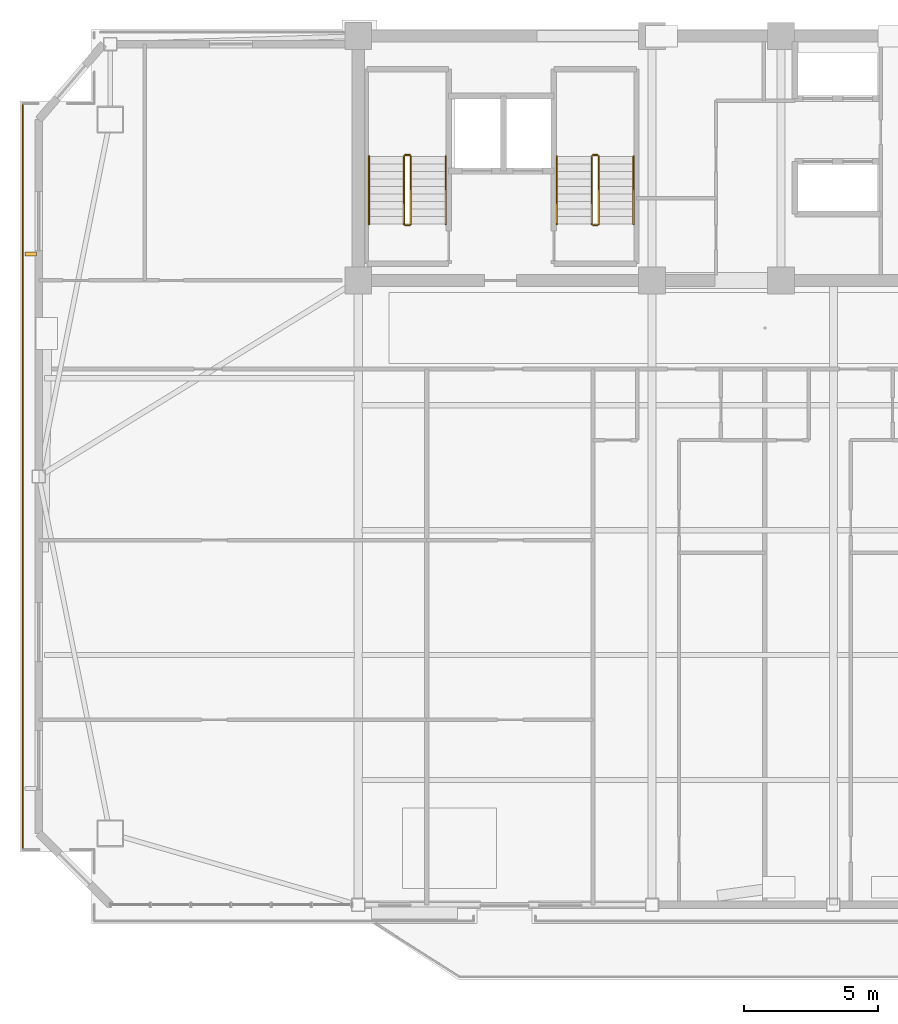
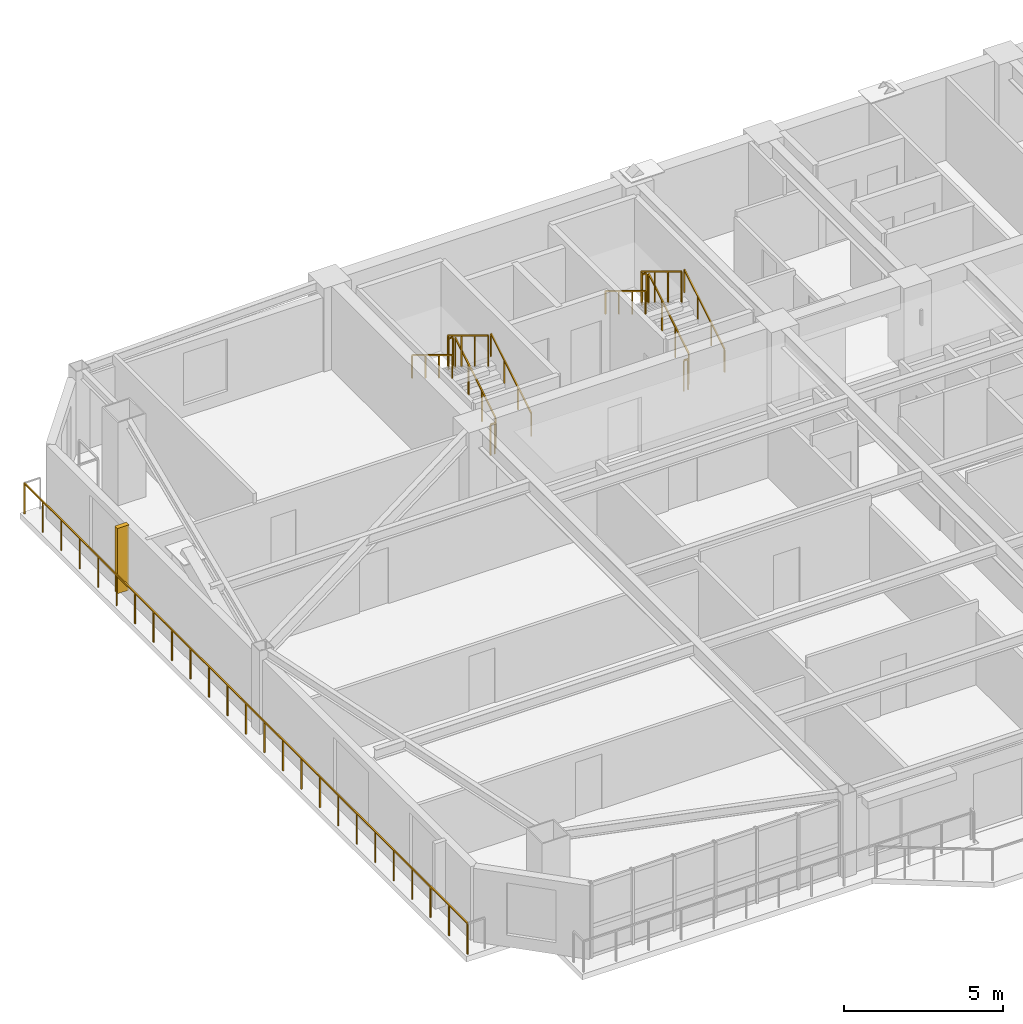
# One storey, part 15 of 19: 13 railings, 1 shading device.
"""IFC4 building model written with IfcOpenShell, lengths in metres."""

from ifc_helpers import new_model, si_unit, direction, frame, origin, origin_2d, place, context, subcontext, project, spatial, rectangle, extrude, source, transform, mapped, material, type_object, element, save


model = new_model("IFC4")

# Units and contexts
model_context = context("Model", 3, precision=1e-05, world=origin(), true_north=direction((0.0, 1.0)))
body_context = subcontext(model_context, "Body", "Model", "MODEL_VIEW")
ifc_project = project(units=[si_unit("LENGTHUNIT", "METRE"), si_unit("AREAUNIT", "SQUARE_METRE"), si_unit("VOLUMEUNIT", "CUBIC_METRE"), si_unit("PLANEANGLEUNIT", "RADIAN"), si_unit("MASSUNIT", "GRAM", prefix="KILO")], contexts=[model_context])

# Site, building, storey
site_placement = place(None, origin())
site = spatial("IfcSite", under=ifc_project, at=site_placement, CompositionType="ELEMENT")
building_placement = place(site_placement, origin())
building = spatial("IfcBuilding", under=site, at=building_placement, Name="Giltprow Tower", CompositionType="ELEMENT")
storey_placement = place(building_placement, frame((0.0, 0.0, 241.699951171875)))
storey = spatial("IfcBuildingStorey", under=building, at=storey_placement, Name="L61", CompositionType="ELEMENT", Elevation=241.699951171875)

# Railings
ifc_material = material(Name="Anodized bronze", Category="metal")
railing_type_1 = type_object("IfcRailingType", Name="RAIL-BALC-GUARD-1200", PredefinedType="BALUSTRADE", material=ifc_material)
railing_1_placement = place(storey_placement, frame((7.347900390625, 16.242919921875, 0.0)))
element("IfcRailing", 1, at=railing_1_placement, inside=storey, type_object=railing_type_1, Name="L61 Corner Apron Edge Balustrade 17", PredefinedType="BALUSTRADE", context=body_context, shape_type="SweptSolid", body=[
    extrude(rectangle(XDim=0.048095703125, YDim=0.048095703125, at=origin_2d()), frame((0.0, 0.0, 1.17578125), z_axis=(0.0, 1.0, 0.0), x_axis=(-1.0, 0.0, 0.0)), (0.0, 0.0, 1.0), 27.796142578125),
    extrude(rectangle(XDim=0.0419921875, YDim=0.0419921875, at=origin_2d()), origin(), (0.0, 0.0, 1.0), 1.15185546875),
    extrude(rectangle(XDim=0.0419921875, YDim=0.0419921875, at=origin_2d()), frame((0.0, 1.158203125, 0.0)), (0.0, 0.0, 1.0), 1.15185546875),
    extrude(rectangle(XDim=0.0419921875, YDim=0.0419921875, at=origin_2d()), frame((0.0, 2.31640625, 0.0)), (0.0, 0.0, 1.0), 1.15185546875),
    extrude(rectangle(XDim=0.0419921875, YDim=0.0419921875, at=origin_2d()), frame((0.0, 3.474609375, 0.0)), (0.0, 0.0, 1.0), 1.15185546875),
    extrude(rectangle(XDim=0.0419921875, YDim=0.0419921875, at=origin_2d()), frame((0.0, 4.6328125, 0.0)), (0.0, 0.0, 1.0), 1.15185546875),
    extrude(rectangle(XDim=0.0419921875, YDim=0.0419921875, at=origin_2d()), frame((0.0, 5.790771484375, 0.0)), (0.0, 0.0, 1.0), 1.15185546875),
    extrude(rectangle(XDim=0.0419921875, YDim=0.0419921875, at=origin_2d()), frame((0.0, 6.948974609375, 0.0)), (0.0, 0.0, 1.0), 1.15185546875),
    extrude(rectangle(XDim=0.0419921875, YDim=0.0419921875, at=origin_2d()), frame((0.0, 8.107177734375, 0.0)), (0.0, 0.0, 1.0), 1.15185546875),
    extrude(rectangle(XDim=0.0419921875, YDim=0.0419921875, at=origin_2d()), frame((0.0, 9.265380859375, 0.0)), (0.0, 0.0, 1.0), 1.15185546875),
    extrude(rectangle(XDim=0.0419921875, YDim=0.0419921875, at=origin_2d()), frame((0.0, 10.423583984375, 0.0)), (0.0, 0.0, 1.0), 1.15185546875),
    extrude(rectangle(XDim=0.0419921875, YDim=0.0419921875, at=origin_2d()), frame((0.0, 11.581787109375, 0.0)), (0.0, 0.0, 1.0), 1.15185546875),
    extrude(rectangle(XDim=0.0419921875, YDim=0.0419921875, at=origin_2d()), frame((0.0, 12.739990234375, 0.0)), (0.0, 0.0, 1.0), 1.15185546875),
    extrude(rectangle(XDim=0.0419921875, YDim=0.0419921875, at=origin_2d()), frame((0.0, 13.89794921875, 0.0)), (0.0, 0.0, 1.0), 1.15185546875),
    extrude(rectangle(XDim=0.0419921875, YDim=0.0419921875, at=origin_2d()), frame((0.0, 15.05615234375, 0.0)), (0.0, 0.0, 1.0), 1.15185546875),
    extrude(rectangle(XDim=0.0419921875, YDim=0.0419921875, at=origin_2d()), frame((0.0, 16.21435546875, 0.0)), (0.0, 0.0, 1.0), 1.15185546875),
    extrude(rectangle(XDim=0.0419921875, YDim=0.0419921875, at=origin_2d()), frame((0.0, 17.37255859375, 0.0)), (0.0, 0.0, 1.0), 1.15185546875),
    extrude(rectangle(XDim=0.0419921875, YDim=0.0419921875, at=origin_2d()), frame((0.0, 18.53076171875, 0.0)), (0.0, 0.0, 1.0), 1.15185546875),
    extrude(rectangle(XDim=0.0419921875, YDim=0.0419921875, at=origin_2d()), frame((0.0, 19.68896484375, 0.0)), (0.0, 0.0, 1.0), 1.15185546875),
    extrude(rectangle(XDim=0.0419921875, YDim=0.0419921875, at=origin_2d()), frame((0.0, 20.84716796875, 0.0)), (0.0, 0.0, 1.0), 1.15185546875),
    extrude(rectangle(XDim=0.0419921875, YDim=0.0419921875, at=origin_2d()), frame((0.0, 22.00537109375, 0.0)), (0.0, 0.0, 1.0), 1.15185546875),
    extrude(rectangle(XDim=0.0419921875, YDim=0.0419921875, at=origin_2d()), frame((0.0, 23.16357421875, 0.0)), (0.0, 0.0, 1.0), 1.15185546875),
    extrude(rectangle(XDim=0.0419921875, YDim=0.0419921875, at=origin_2d()), frame((0.0, 24.321533203125, 0.0)), (0.0, 0.0, 1.0), 1.15185546875),
    extrude(rectangle(XDim=0.0419921875, YDim=0.0419921875, at=origin_2d()), frame((0.0, 25.479736328125, 0.0)), (0.0, 0.0, 1.0), 1.15185546875),
    extrude(rectangle(XDim=0.0419921875, YDim=0.0419921875, at=origin_2d()), frame((0.0, 26.637939453125, 0.0)), (0.0, 0.0, 1.0), 1.15185546875),
    extrude(rectangle(XDim=0.0419921875, YDim=0.0419921875, at=origin_2d()), frame((0.0, 27.796142578125, 0.0)), (0.0, 0.0, 1.0), 1.15185546875),
])
railing_type_2 = type_object("IfcRailingType", Name="RAIL-STAIR-GUARD-1200", PredefinedType="GUARDRAIL", material=ifc_material)
railing_2_placement = place(storey_placement, frame((21.81005859375, 39.550048828125, 0.170166015625)))
element("IfcRailing", 2, at=railing_2_placement, inside=storey, type_object=railing_type_2, Name="L61 ST-1 stair guard 1", PredefinedType="GUARDRAIL", context=body_context, shape_type="SweptSolid", body=[
    extrude(rectangle(XDim=0.048095703125, YDim=0.048095703125, at=origin_2d()), frame((0.0, 0.0, 1.17578125), z_axis=(0.0, 0.854821627497, 0.518921945155), x_axis=(-1.0, 0.0, 0.0)), (0.0, 0.0, 1.0), 2.947998046875),
    extrude(rectangle(XDim=0.0419921875, YDim=0.0419921875, at=origin_2d()), origin(), (0.0, 0.0, 1.0), 1.15185546875),
    extrude(rectangle(XDim=0.0419921875, YDim=0.0419921875, at=origin_2d()), frame((0.0, 0.840087890625, 0.510009765625)), (0.0, 0.0, 1.0), 1.15185546875),
    extrude(rectangle(XDim=0.0419921875, YDim=0.0419921875, at=origin_2d()), frame((0.0, 1.679931640625, 1.019775390625)), (0.0, 0.0, 1.0), 1.15185546875),
    extrude(rectangle(XDim=0.0419921875, YDim=0.0419921875, at=origin_2d()), frame((0.0, 2.52001953125, 1.52978515625)), (0.0, 0.0, 1.0), 1.15185546875),
])
railing_3_placement = place(storey_placement, frame((21.760009765625, 42.1201171875, 1.699951171875)))
element("IfcRailing", 3, at=railing_3_placement, inside=storey, type_object=railing_type_2, Name="L61 ST-1 stair guard 2", PredefinedType="GUARDRAIL", context=body_context, shape_type="SweptSolid", body=[
    extrude(rectangle(XDim=0.048095703125, YDim=0.048095703125, at=origin_2d()), frame((0.0, 0.0, 1.17578125), z_axis=(-1.0, 0.0, 0.0), x_axis=(0.0, -1.0, 0.0)), (0.0, 0.0, 1.0), 0.159912109375),
    extrude(rectangle(XDim=0.0419921875, YDim=0.0419921875, at=origin_2d()), origin(), (0.0, 0.0, 1.0), 1.15185546875),
    extrude(rectangle(XDim=0.0419921875, YDim=0.0419921875, at=origin_2d()), frame((-0.159912109375, 0.0, 0.0)), (0.0, 0.0, 1.0), 1.15185546875),
])
railing_4_placement = place(storey_placement, frame((21.550048828125, 42.070068359375, 1.8701171875)))
element("IfcRailing", 4, at=railing_4_placement, inside=storey, type_object=railing_type_2, Name="L61 ST-1 stair guard 3", PredefinedType="GUARDRAIL", context=body_context, shape_type="SweptSolid", body=[
    extrude(rectangle(XDim=0.048095703125, YDim=0.048095703125, at=origin_2d()), frame((0.0, 0.0, 1.17578125), z_axis=(0.0, -0.85478489116, 0.518982456201), x_axis=(1.0, 0.0, 0.0)), (0.0, 0.0, 1.0), 2.9482421875),
    extrude(rectangle(XDim=0.0419921875, YDim=0.0419921875, at=origin_2d()), origin(), (0.0, 0.0, 1.0), 1.15185546875),
    extrude(rectangle(XDim=0.0419921875, YDim=0.0419921875, at=origin_2d()), frame((0.0, -0.840087890625, 0.510009765625)), (0.0, 0.0, 1.0), 1.15185546875),
    extrude(rectangle(XDim=0.0419921875, YDim=0.0419921875, at=origin_2d()), frame((0.0, -1.679931640625, 1.02001953125)), (0.0, 0.0, 1.0), 1.15185546875),
    extrude(rectangle(XDim=0.0419921875, YDim=0.0419921875, at=origin_2d()), frame((0.0, -2.52001953125, 1.530029296875)), (0.0, 0.0, 1.0), 1.15185546875),
])
railing_5_placement = place(storey_placement, frame((21.760009765625, 39.5, 0.0)))
element("IfcRailing", 5, at=railing_5_placement, inside=storey, type_object=railing_type_2, Name="L61 ST-1 stair guard 4", PredefinedType="GUARDRAIL", context=body_context, shape_type="SweptSolid", body=[
    extrude(rectangle(XDim=0.048095703125, YDim=0.048095703125, at=origin_2d()), frame((0.0, 0.0, 1.17578125), z_axis=(-1.0, 0.0, 0.0), x_axis=(0.0, -1.0, 0.0)), (0.0, 0.0, 1.0), 0.159912109375),
    extrude(rectangle(XDim=0.0419921875, YDim=0.0419921875, at=origin_2d()), origin(), (0.0, 0.0, 1.0), 1.15185546875),
    extrude(rectangle(XDim=0.0419921875, YDim=0.0419921875, at=origin_2d()), frame((-0.159912109375, 0.0, 0.0)), (0.0, 0.0, 1.0), 1.15185546875),
])
railing_6_placement = place(storey_placement, frame((28.81005859375, 39.550048828125, 0.170166015625)))
element("IfcRailing", 6, at=railing_6_placement, inside=storey, type_object=railing_type_2, Name="L61 ST-2 stair guard 1", PredefinedType="GUARDRAIL", context=body_context, shape_type="SweptSolid", body=[
    extrude(rectangle(XDim=0.048095703125, YDim=0.048095703125, at=origin_2d()), frame((0.0, 0.0, 1.17578125), z_axis=(0.0, 0.854821627497, 0.518921945155), x_axis=(-1.0, 0.0, 0.0)), (0.0, 0.0, 1.0), 2.947998046875),
    extrude(rectangle(XDim=0.0419921875, YDim=0.0419921875, at=origin_2d()), origin(), (0.0, 0.0, 1.0), 1.15185546875),
    extrude(rectangle(XDim=0.0419921875, YDim=0.0419921875, at=origin_2d()), frame((0.0, 0.840087890625, 0.510009765625)), (0.0, 0.0, 1.0), 1.15185546875),
    extrude(rectangle(XDim=0.0419921875, YDim=0.0419921875, at=origin_2d()), frame((0.0, 1.679931640625, 1.019775390625)), (0.0, 0.0, 1.0), 1.15185546875),
    extrude(rectangle(XDim=0.0419921875, YDim=0.0419921875, at=origin_2d()), frame((0.0, 2.52001953125, 1.52978515625)), (0.0, 0.0, 1.0), 1.15185546875),
])
railing_7_placement = place(storey_placement, frame((28.760009765625, 42.1201171875, 1.699951171875)))
element("IfcRailing", 7, at=railing_7_placement, inside=storey, type_object=railing_type_2, Name="L61 ST-2 stair guard 2", PredefinedType="GUARDRAIL", context=body_context, shape_type="SweptSolid", body=[
    extrude(rectangle(XDim=0.048095703125, YDim=0.048095703125, at=origin_2d()), frame((0.0, 0.0, 1.17578125), z_axis=(-1.0, 0.0, 0.0), x_axis=(0.0, -1.0, 0.0)), (0.0, 0.0, 1.0), 0.159912109375),
    extrude(rectangle(XDim=0.0419921875, YDim=0.0419921875, at=origin_2d()), origin(), (0.0, 0.0, 1.0), 1.15185546875),
    extrude(rectangle(XDim=0.0419921875, YDim=0.0419921875, at=origin_2d()), frame((-0.159912109375, 0.0, 0.0)), (0.0, 0.0, 1.0), 1.15185546875),
])
railing_8_placement = place(storey_placement, frame((28.550048828125, 42.070068359375, 1.8701171875)))
element("IfcRailing", 8, at=railing_8_placement, inside=storey, type_object=railing_type_2, Name="L61 ST-2 stair guard 3", PredefinedType="GUARDRAIL", context=body_context, shape_type="SweptSolid", body=[
    extrude(rectangle(XDim=0.048095703125, YDim=0.048095703125, at=origin_2d()), frame((0.0, 0.0, 1.17578125), z_axis=(0.0, -0.85478489116, 0.518982456201), x_axis=(1.0, 0.0, 0.0)), (0.0, 0.0, 1.0), 2.9482421875),
    extrude(rectangle(XDim=0.0419921875, YDim=0.0419921875, at=origin_2d()), origin(), (0.0, 0.0, 1.0), 1.15185546875),
    extrude(rectangle(XDim=0.0419921875, YDim=0.0419921875, at=origin_2d()), frame((0.0, -0.840087890625, 0.510009765625)), (0.0, 0.0, 1.0), 1.15185546875),
    extrude(rectangle(XDim=0.0419921875, YDim=0.0419921875, at=origin_2d()), frame((0.0, -1.679931640625, 1.02001953125)), (0.0, 0.0, 1.0), 1.15185546875),
    extrude(rectangle(XDim=0.0419921875, YDim=0.0419921875, at=origin_2d()), frame((0.0, -2.52001953125, 1.530029296875)), (0.0, 0.0, 1.0), 1.15185546875),
])
railing_9_placement = place(storey_placement, frame((28.760009765625, 39.5, 0.0)))
element("IfcRailing", 9, at=railing_9_placement, inside=storey, type_object=railing_type_2, Name="L61 ST-2 stair guard 4", PredefinedType="GUARDRAIL", context=body_context, shape_type="SweptSolid", body=[
    extrude(rectangle(XDim=0.048095703125, YDim=0.048095703125, at=origin_2d()), frame((0.0, 0.0, 1.17578125), z_axis=(-1.0, 0.0, 0.0), x_axis=(0.0, -1.0, 0.0)), (0.0, 0.0, 1.0), 0.159912109375),
    extrude(rectangle(XDim=0.0419921875, YDim=0.0419921875, at=origin_2d()), origin(), (0.0, 0.0, 1.0), 1.15185546875),
    extrude(rectangle(XDim=0.0419921875, YDim=0.0419921875, at=origin_2d()), frame((-0.159912109375, 0.0, 0.0)), (0.0, 0.0, 1.0), 1.15185546875),
])
railing_type_3 = type_object("IfcRailingType", Name="RAIL-STAIR-HAND-900", PredefinedType="HANDRAIL", material=ifc_material)
railing_10_placement = place(storey_placement, frame((23.110107421875, 39.550048828125, 0.170166015625)))
element("IfcRailing", 10, at=railing_10_placement, inside=storey, type_object=railing_type_3, Name="L61 ST-1 stair handrail 1", PredefinedType="HANDRAIL", context=body_context, shape_type="SweptSolid", body=[
    extrude(rectangle(XDim=0.048095703125, YDim=0.048095703125, at=origin_2d()), frame((0.0, 0.0, 0.8759765625), z_axis=(0.0, 0.854821627497, 0.518921945155), x_axis=(-1.0, 0.0, 0.0)), (0.0, 0.0, 1.0), 2.947998046875),
    extrude(rectangle(XDim=0.0419921875, YDim=0.0419921875, at=origin_2d()), origin(), (0.0, 0.0, 1.0), 0.851806640625),
    extrude(rectangle(XDim=0.0419921875, YDim=0.0419921875, at=origin_2d()), frame((0.0, 0.840087890625, 0.510009765625)), (0.0, 0.0, 1.0), 0.851806640625),
    extrude(rectangle(XDim=0.0419921875, YDim=0.0419921875, at=origin_2d()), frame((0.0, 1.679931640625, 1.019775390625)), (0.0, 0.0, 1.0), 0.851806640625),
    extrude(rectangle(XDim=0.0419921875, YDim=0.0419921875, at=origin_2d()), frame((0.0, 2.52001953125, 1.52978515625)), (0.0, 0.0, 1.0), 0.851806640625),
])
railing_11_placement = place(storey_placement, frame((20.25, 42.070068359375, 1.8701171875)))
element("IfcRailing", 11, at=railing_11_placement, inside=storey, type_object=railing_type_3, Name="L61 ST-1 stair handrail 2", PredefinedType="HANDRAIL", context=body_context, shape_type="SweptSolid", body=[
    extrude(rectangle(XDim=0.048095703125, YDim=0.048095703125, at=origin_2d()), frame((0.0, 0.0, 0.8759765625), z_axis=(0.0, -0.85478489116, 0.518982456201), x_axis=(1.0, 0.0, 0.0)), (0.0, 0.0, 1.0), 2.9482421875),
    extrude(rectangle(XDim=0.0419921875, YDim=0.0419921875, at=origin_2d()), origin(), (0.0, 0.0, 1.0), 0.851806640625),
    extrude(rectangle(XDim=0.0419921875, YDim=0.0419921875, at=origin_2d()), frame((0.0, -0.840087890625, 0.510009765625)), (0.0, 0.0, 1.0), 0.851806640625),
    extrude(rectangle(XDim=0.0419921875, YDim=0.0419921875, at=origin_2d()), frame((0.0, -1.679931640625, 1.02001953125)), (0.0, 0.0, 1.0), 0.851806640625),
    extrude(rectangle(XDim=0.0419921875, YDim=0.0419921875, at=origin_2d()), frame((0.0, -2.52001953125, 1.530029296875)), (0.0, 0.0, 1.0), 0.851806640625),
])
railing_12_placement = place(storey_placement, frame((30.110107421875, 39.550048828125, 0.170166015625)))
element("IfcRailing", 12, at=railing_12_placement, inside=storey, type_object=railing_type_3, Name="L61 ST-2 stair handrail 1", PredefinedType="HANDRAIL", context=body_context, shape_type="SweptSolid", body=[
    extrude(rectangle(XDim=0.048095703125, YDim=0.048095703125, at=origin_2d()), frame((0.0, 0.0, 0.8759765625), z_axis=(0.0, 0.854821627497, 0.518921945155), x_axis=(-1.0, 0.0, 0.0)), (0.0, 0.0, 1.0), 2.947998046875),
    extrude(rectangle(XDim=0.0419921875, YDim=0.0419921875, at=origin_2d()), origin(), (0.0, 0.0, 1.0), 0.851806640625),
    extrude(rectangle(XDim=0.0419921875, YDim=0.0419921875, at=origin_2d()), frame((0.0, 0.840087890625, 0.510009765625)), (0.0, 0.0, 1.0), 0.851806640625),
    extrude(rectangle(XDim=0.0419921875, YDim=0.0419921875, at=origin_2d()), frame((0.0, 1.679931640625, 1.019775390625)), (0.0, 0.0, 1.0), 0.851806640625),
    extrude(rectangle(XDim=0.0419921875, YDim=0.0419921875, at=origin_2d()), frame((0.0, 2.52001953125, 1.52978515625)), (0.0, 0.0, 1.0), 0.851806640625),
])
railing_13_placement = place(storey_placement, frame((27.25, 42.070068359375, 1.8701171875)))
element("IfcRailing", 13, at=railing_13_placement, inside=storey, type_object=railing_type_3, Name="L61 ST-2 stair handrail 2", PredefinedType="HANDRAIL", context=body_context, shape_type="SweptSolid", body=[
    extrude(rectangle(XDim=0.048095703125, YDim=0.048095703125, at=origin_2d()), frame((0.0, 0.0, 0.8759765625), z_axis=(0.0, -0.85478489116, 0.518982456201), x_axis=(1.0, 0.0, 0.0)), (0.0, 0.0, 1.0), 2.9482421875),
    extrude(rectangle(XDim=0.0419921875, YDim=0.0419921875, at=origin_2d()), origin(), (0.0, 0.0, 1.0), 0.851806640625),
    extrude(rectangle(XDim=0.0419921875, YDim=0.0419921875, at=origin_2d()), frame((0.0, -0.840087890625, 0.510009765625)), (0.0, 0.0, 1.0), 0.851806640625),
    extrude(rectangle(XDim=0.0419921875, YDim=0.0419921875, at=origin_2d()), frame((0.0, -1.679931640625, 1.02001953125)), (0.0, 0.0, 1.0), 0.851806640625),
    extrude(rectangle(XDim=0.0419921875, YDim=0.0419921875, at=origin_2d()), frame((0.0, -2.52001953125, 1.530029296875)), (0.0, 0.0, 1.0), 0.851806640625),
])

# Shading device
shading_device_type = type_object("IfcShadingDeviceType", Name="SHD-FIN-420", PredefinedType="USERDEFINED", material=ifc_material)
shared_shape = source(origin(), body_context, "Body", "SweptSolid", [
    extrude(rectangle(XDim=0.419921875, YDim=0.159912109375, at=origin_2d()), origin(), (0.0, 0.0, 1.0), 2.5),
])
shading_device_placement = place(storey_placement, frame((7.64794921875, 38.43408203125, 0.35009765625), z_axis=(0.0, 0.0, 1.0), x_axis=(1.0, 0.0, 0.0)))
element("IfcShadingDevice", 14, at=shading_device_placement, inside=storey, type_object=shading_device_type, Name="L61 W Bronze Vertical Fin 2-1", ObjectType="FIN", PredefinedType="USERDEFINED", context=body_context, shape_type="MappedRepresentation", body=[
    mapped(shared_shape, transform((0.0, 0.0, 0.0), x_axis=(1.0, 0.0, 0.0), y_axis=(0.0, 1.0, 0.0), z_axis=(0.0, 0.0, 1.0), scale=1.0)),
])

save(model, "model.ifc")
